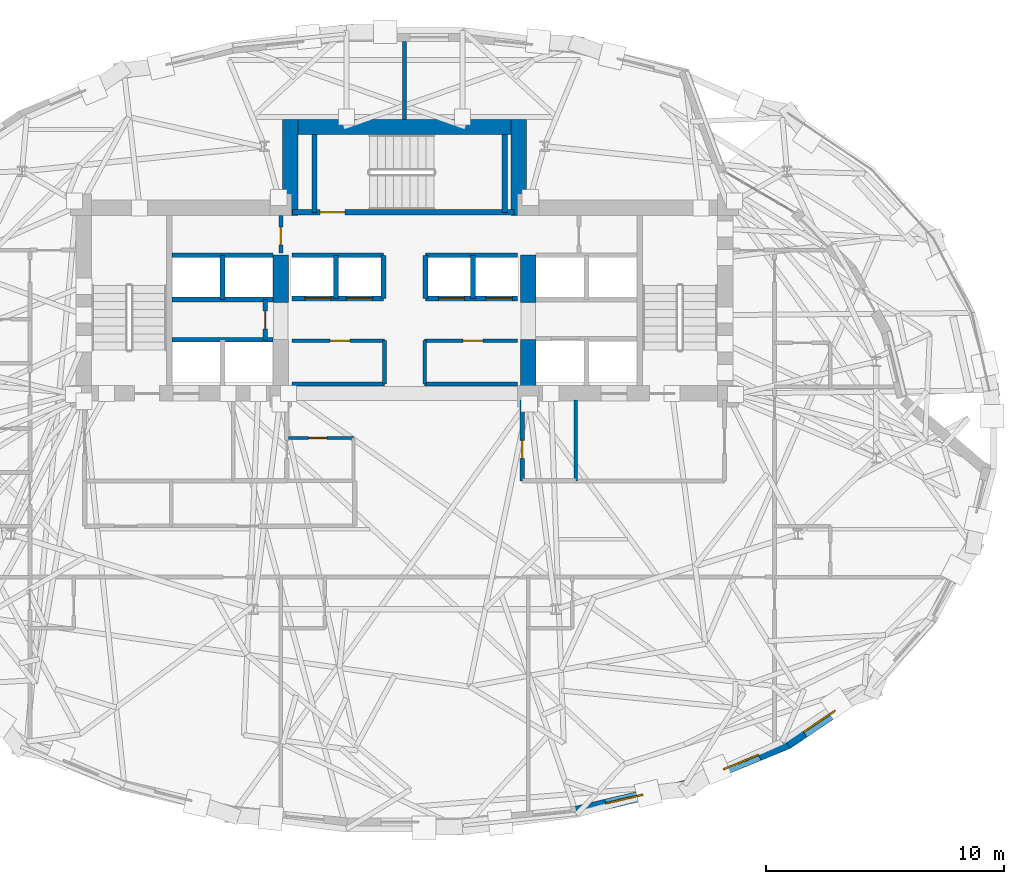
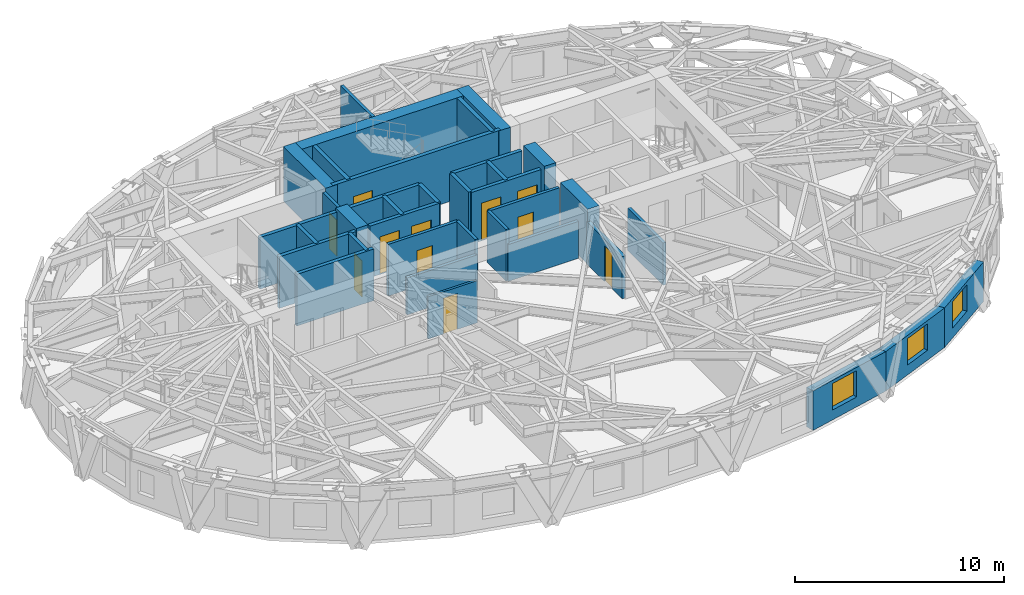
# One storey, part 9 of 15: 36 walls, 11 doors, 3 windows, 14 openings.
"""IFC4 building model written with IfcOpenShell, lengths in metres."""

import ifcopenshell
import ifcopenshell.guid

model = None  # the IFC model being written
_history = None  # IfcOwnerHistory: only IFC2X3 demands one
_inside = {}  # id of a spatial element -> (the spatial element, [elements in it])
_under = {}  # id of a project, library or spatial element -> (it, [spatial elements below it])
_declared = {}  # id of a project -> (the project, [libraries it declares])
_typed = {}  # id of a type object -> (the type object, [elements of that type])
_made_of = {}  # id of a material, layer set ... -> (it, [elements and type objects made of it])


def new_model(schema):
    """Start an empty IFC model of exactly this schema.

    Asked for "IFC4X3", IfcOpenShell would pick the latest addendum, in which some entities
    have other attributes; the version numbers below select the first issue.
    IFC2X3 requires an IfcOwnerHistory on every rooted entity: one is made here for all.
    """
    global model, _history
    if schema == "IFC4X3":
        model = ifcopenshell.file(schema_version=(4, 3, 0, 0))
    else:
        model = ifcopenshell.file(schema=schema)
    _inside.clear()
    _under.clear()
    _declared.clear()
    _typed.clear()
    _made_of.clear()
    _history = None
    if model.schema == "IFC2X3":
        org = make("IfcOrganization", Name="unknown")
        user = make(
            "IfcPersonAndOrganization",
            ThePerson=make("IfcPerson", FamilyName="unknown"),
            TheOrganization=org,
        )
        app = make(
            "IfcApplication",
            ApplicationDeveloper=org,
            Version="unknown",
            ApplicationFullName="unknown",
            ApplicationIdentifier="unknown",
        )
        _history = make(
            "IfcOwnerHistory",
            OwningUser=user,
            OwningApplication=app,
            ChangeAction="ADDED",
            CreationDate=0,
        )
    return model


def make(cls, **values):
    """One entity of the class cls with the attributes given. An attribute that is None is left unset."""
    return model.create_entity(
        cls, **{name: value for name, value in values.items() if value is not None}
    )


def rooted(cls, **values):
    """An entity with a GlobalId (a new one), such as an element, a storey or a relation."""
    return make(cls, GlobalId=ifcopenshell.guid.new(), OwnerHistory=_history, **values)


def si_unit(unit_type, name, prefix=None):
    """IfcSIUnit, for example si_unit("LENGTHUNIT", "METRE", prefix="MILLI")."""
    return make("IfcSIUnit", UnitType=unit_type, Prefix=prefix, Name=name)


def assignment(units):
    """IfcUnitAssignment: the units of a project."""
    return None if units is None else make("IfcUnitAssignment", Units=units)


def point(xyz):
    """IfcCartesianPoint."""
    return None if xyz is None else make("IfcCartesianPoint", Coordinates=xyz)


def direction(xyz):
    """IfcDirection."""
    return None if xyz is None else make("IfcDirection", DirectionRatios=xyz)


def frame(location, z_axis=None, x_axis=None):
    """IfcAxis2Placement3D, a coordinate frame: its origin and axes. An axis left out is left unset."""
    return make(
        "IfcAxis2Placement3D",
        Location=point(location),
        Axis=direction(z_axis),
        RefDirection=direction(x_axis),
    )


def frame_2d(location, x_axis=None):
    """IfcAxis2Placement2D, a coordinate frame in the plane: its origin and x axis."""
    return make(
        "IfcAxis2Placement2D", Location=point(location), RefDirection=direction(x_axis)
    )


def origin():
    """The frame at (0, 0, 0) with its axes left unset."""
    return frame((0.0, 0.0, 0.0))


def place(relative_to, where):
    """IfcLocalPlacement: puts the frame where relative to a parent placement (None: the world)."""
    return make(
        "IfcLocalPlacement", PlacementRelTo=relative_to, RelativePlacement=where
    )


def context(
    kind, dimensions, precision=None, world=None, true_north=None, identifier=None
):
    """IfcGeometricRepresentationContext, for example the 3D "Model" context."""
    return make(
        "IfcGeometricRepresentationContext",
        ContextIdentifier=identifier,
        ContextType=kind,
        CoordinateSpaceDimension=dimensions,
        Precision=precision,
        WorldCoordinateSystem=world,
        TrueNorth=true_north,
    )


def subcontext(parent, identifier, kind, view, scale=None):
    """IfcGeometricRepresentationSubContext, for example "Body" below "Model"."""
    return make(
        "IfcGeometricRepresentationSubContext",
        ContextIdentifier=identifier,
        ContextType=kind,
        ParentContext=parent,
        TargetScale=scale,
        TargetView=view,
    )


def project(units=None, contexts=None):
    """IfcProject with its units and contexts."""
    return rooted(
        "IfcProject",
        Name="project",
        RepresentationContexts=contexts,
        UnitsInContext=assignment(units),
    )


def spatial(cls, under=None, at=None, **own):
    """A site, building, storey or space (cls), placed at a placement, below another one or the project."""
    s = rooted(cls, ObjectPlacement=at, **own)
    if under is not None:
        _under.setdefault(under.id(), (under, []))[1].append(s)
    return s


def profile(cls, at=None, kind="AREA", **sizes):
    """A parametric profile (cls). Its sizes go by their IFC names, for example OverallWidth=200.0."""
    return make(cls, ProfileType=kind, Position=at, **sizes)


def rectangle(**sizes):
    """IfcRectangleProfileDef."""
    return profile("IfcRectangleProfileDef", **sizes)


def extrude(swept, where, along, depth):
    """IfcExtrudedAreaSolid: the profile swept, set in the frame where, extruded along a direction by depth."""
    return make(
        "IfcExtrudedAreaSolid",
        SweptArea=swept,
        Position=where,
        ExtrudedDirection=direction(along),
        Depth=depth,
    )


def shape(context_of_items, identifier, shape_type, items):
    """IfcShapeRepresentation: the items that make up one representation, for example the "Body"."""
    return make(
        "IfcShapeRepresentation",
        ContextOfItems=context_of_items,
        RepresentationIdentifier=identifier,
        RepresentationType=shape_type,
        Items=items,
    )


def material(Name=None, Category=None):
    """IfcMaterial."""
    return make("IfcMaterial", Name=Name, Category=Category)


def layer(
    of_material, thickness, ventilated=None, Name=None, Category=None, Priority=None
):
    """IfcMaterialLayer: one layer of a wall or slab, of a material (None: an air gap)."""
    return make(
        "IfcMaterialLayer",
        Material=of_material,
        LayerThickness=thickness,
        IsVentilated=ventilated,
        Name=Name,
        Category=Category,
        Priority=Priority,
    )


def layer_set(layers, Name=None):
    """IfcMaterialLayerSet."""
    return make("IfcMaterialLayerSet", MaterialLayers=layers, LayerSetName=Name)


def made_of(thing, what):
    """Note that an element or type object is made of a material, layer set ...; save() writes the relation."""
    if what is not None:
        _made_of.setdefault(what.id(), (what, []))[1].append(thing)
    return thing


def type_object(cls, material=None, **own):
    """A type object (cls), such as IfcWallType, which elements share."""
    return made_of(rooted(cls, **own), material)


def element(
    cls,
    number,
    at=None,
    inside=None,
    cuts=None,
    type_object=None,
    material=None,
    context=None,
    identifier="Body",
    shape_type=None,
    held_by="IfcProductDefinitionShape",
    body=None,
    shapes=None,
    **own,
):
    """One element of the class cls, such as IfcWall. Its Tag is "e" and its number.

    at: its placement. inside: the storey or other place that contains it. cuts: it is an
    opening in that element (IfcRelVoidsElement). A single representation is given by context,
    identifier, shape_type and body (its items); several are given by shapes. held_by: the class
    of the entity that holds the representations. save() writes the other relations.
    """
    e = rooted(cls, Tag="e%d" % number, ObjectPlacement=at, **own)
    if body is not None:
        shapes = [shape(context, identifier, shape_type, body)]
    if shapes is not None:
        e.Representation = make(held_by, Representations=shapes)
    if inside is not None:
        _inside.setdefault(inside.id(), (inside, []))[1].append(e)
    if cuts is not None:
        rooted(
            "IfcRelVoidsElement", RelatingBuildingElement=cuts, RelatedOpeningElement=e
        )
    if type_object is not None:
        _typed.setdefault(type_object.id(), (type_object, []))[1].append(e)
    return made_of(e, material)


def fill(opening, filler):
    """IfcRelFillsElement: the door or window that sits in an opening."""
    return rooted(
        "IfcRelFillsElement",
        RelatingOpeningElement=opening,
        RelatedBuildingElement=filler,
    )


def aggregate(whole, parts):
    """IfcRelAggregates: a whole, such as a stair, and the parts it consists of."""
    return rooted("IfcRelAggregates", RelatingObject=whole, RelatedObjects=parts)


def save(model, path):
    """Write the relations noted so far, then the file.

    IfcRelAggregates (storeys below a building ...), IfcRelContainedInSpatialStructure (elements
    in a storey), IfcRelDefinesByType, IfcRelAssociatesMaterial and IfcRelDeclares: one each for
    every whole, place, type object, material and project.
    """
    for whole, parts in _under.values():
        aggregate(whole, parts)
    for where, things in _inside.values():
        rooted(
            "IfcRelContainedInSpatialStructure",
            RelatedElements=things,
            RelatingStructure=where,
        )
    for kind, things in _typed.values():
        rooted("IfcRelDefinesByType", RelatedObjects=things, RelatingType=kind)
    for what, things in _made_of.values():
        rooted("IfcRelAssociatesMaterial", RelatedObjects=things, RelatingMaterial=what)
    for by, libraries in _declared.values():
        rooted("IfcRelDeclares", RelatingContext=by, RelatedDefinitions=libraries)
    model.write(path)


model = new_model("IFC4")

# Units and contexts
model_context = context("Model", 3, precision=1e-05, world=origin(), true_north=direction((0.0, 1.0)))
body_context = subcontext(model_context, "Body", "Model", "MODEL_VIEW")
ifc_project = project(units=[si_unit("LENGTHUNIT", "METRE"), si_unit("AREAUNIT", "SQUARE_METRE"), si_unit("VOLUMEUNIT", "CUBIC_METRE"), si_unit("PLANEANGLEUNIT", "RADIAN"), si_unit("MASSUNIT", "GRAM", prefix="KILO")], contexts=[model_context])

# Site, building, storey
site_placement = place(None, origin())
site = spatial("IfcSite", under=ifc_project, at=site_placement, CompositionType="ELEMENT")
building_placement = place(site_placement, origin())
building = spatial("IfcBuilding", under=site, at=building_placement, Name="Keldmark Tower", CompositionType="ELEMENT")
storey_placement = place(building_placement, frame((0.0, 0.0, 156.60009765625)))
storey = spatial("IfcBuildingStorey", under=building, at=storey_placement, Name="L42", CompositionType="ELEMENT", Elevation=156.60009765625)

# Wall, opening, door
ifc_material_1 = material(Name="Acoustic Gypsum Board Interior Partition", Category="gypsum")
ifc_layer_1 = layer(ifc_material_1, 0.1298828125)
ifc_layer_set_1 = layer_set([ifc_layer_1], Name="Acoustic Gypsum Board Interior Partition")
wall_type_1 = type_object("IfcWallType", Name="Interior Partition 130 mm", PredefinedType="PARTITIONING", material=ifc_layer_set_1)
wall_1_placement = place(storey_placement, frame((-4.8798828125, -0.35009765625, 0.0), z_axis=(0.0, 0.0, 1.0), x_axis=(1.0, 0.0, 0.0)))
wall_1 = element("IfcWall", 1, at=wall_1_placement, inside=storey, type_object=wall_type_1, Name="L42 Interior Partition 130 mm CSC-W-N", PredefinedType="PARTITIONING", context=body_context, shape_type="SweptSolid", body=[
    extrude(rectangle(XDim=2.72998046875, YDim=0.1298828125, at=frame_2d((1.364990234375, 0.0))), origin(), (0.0, 0.0, 1.0), 2.472900390625),
])
opening_1_placement = place(wall_1_placement, frame((0.85009765625, 0.0, 0.0)))
opening_1 = element("IfcOpeningElement", 2, at=opening_1_placement, cuts=wall_1, Name="Opening D-CL078", PredefinedType="OPENING", context=body_context, shape_type="SweptSolid", body=[
    extrude(rectangle(XDim=0.780029296875, YDim=2.10009765625, at=frame_2d((0.39013671875, 1.050048828125))), frame((0.0, 0.074951171875, 0.0), z_axis=(0.0, -1.0, 0.0), x_axis=(1.0, 0.0, 0.0)), (0.0, 0.0, 1.0), 0.14990234375),
])
ifc_material_2 = material(Name="Flush Utility Closet Timber Door", Category="wood")
door_type_1 = type_object("IfcDoorType", Name="Closet Door 780x2100", OperationType="NOTDEFINED", PredefinedType="DOOR", material=ifc_material_2)
door_1_placement = place(opening_1_placement, origin())
door_1 = element("IfcDoor", 3, at=door_1_placement, inside=storey, type_object=door_type_1, Name="L42 Closet Door 780x2100 D-CSCW1-L42", OperationType="SINGLE_SWING_RIGHT", OverallHeight=2.10009765625, OverallWidth=0.780029296875, PredefinedType="DOOR", context=body_context, shape_type="SweptSolid", body=[
    extrude(rectangle(XDim=0.780029296875, YDim=2.10009765625, at=frame_2d((0.39013671875, 1.050048828125))), frame((0.0, 0.02490234375, 0.0), z_axis=(0.0, -1.0, 0.0), x_axis=(1.0, 0.0, 0.0)), (0.0, 0.0, 1.0), 0.050048828125),
])
fill(opening_1, door_1)

# Walls
ifc_material_3 = material(Name="Type X Fire-Rated Gypsum Partition Assembly", Category="gypsum")
ifc_layer_2 = layer(ifc_material_3, 0.1650390625)
ifc_layer_set_2 = layer_set([ifc_layer_2], Name="Type X Fire-Rated Gypsum Partition Assembly")
wall_type_2 = type_object("IfcWallType", Name="Rated Partition 165 mm", PredefinedType="PARTITIONING", material=ifc_layer_set_2)
wall_2_placement = place(storey_placement, frame((7.199951171875, -2.14990234375, 0.0), z_axis=(0.0, 0.0, 1.0), x_axis=(0.0, 1.0, 0.0)))
element("IfcWall", 4, at=wall_2_placement, inside=storey, type_object=wall_type_2, Name="L42 Rated Partition 165 mm FSAE-E-W", PredefinedType="PARTITIONING", context=body_context, shape_type="SweptSolid", body=[
    extrude(rectangle(XDim=3.39990234375, YDim=0.1650390625, at=frame_2d((1.699951171875, 0.0))), origin(), (0.0, 0.0, 1.0), 2.472900390625),
])
wall_3_placement = place(storey_placement, frame((-4.739990234375, 1.919921875, 0.0), z_axis=(0.0, 0.0, 1.0), x_axis=(1.0, 0.0, 0.0)))
element("IfcWall", 5, at=wall_3_placement, inside=storey, type_object=wall_type_2, Name="L42 Rated Partition 165 mm REC-LW-S", PredefinedType="PARTITIONING", context=body_context, shape_type="SweptSolid", body=[
    extrude(rectangle(XDim=3.889892578125, YDim=0.1650390625, at=frame_2d((1.94482421875, 0.0))), origin(), (0.0, 0.0, 1.0), 2.159912109375),
])

# Wall, opening, door
wall_4_placement = place(storey_placement, frame((-4.739990234375, 3.739990234375, 0.0), z_axis=(0.0, 0.0, 1.0), x_axis=(1.0, 0.0, 0.0)))
wall_4 = element("IfcWall", 6, at=wall_4_placement, inside=storey, type_object=wall_type_2, Name="L42 Rated Partition 165 mm REC-LW-N", PredefinedType="PARTITIONING", context=body_context, shape_type="SweptSolid", body=[
    extrude(rectangle(XDim=3.889892578125, YDim=0.1650390625, at=frame_2d((1.94482421875, 0.0))), origin(), (0.0, 0.0, 1.0), 3.02001953125),
])
opening_2_placement = place(wall_4_placement, frame((1.60009765625, 0.0, 0.0)))
opening_2 = element("IfcOpeningElement", 7, at=opening_2_placement, cuts=wall_4, Name="Opening D-SV085", PredefinedType="OPENING", context=body_context, shape_type="SweptSolid", body=[
    extrude(rectangle(XDim=0.85009765625, YDim=2.10009765625, at=frame_2d((0.425048828125, 1.050048828125))), frame((0.0, 0.092529296875, 0.0), z_axis=(0.0, -1.0, 0.0), x_axis=(1.0, 0.0, 0.0)), (0.0, 0.0, 1.0), 0.18505859375),
])
ifc_material_4 = material(Name="Painted Hollow Metal Door Assembly", Category="metal")
door_type_2 = type_object("IfcDoorType", Name="Service Door 850x2100", OperationType="NOTDEFINED", PredefinedType="DOOR", material=ifc_material_4)
door_2_placement = place(opening_2_placement, origin())
door_2 = element("IfcDoor", 8, at=door_2_placement, inside=storey, type_object=door_type_2, Name="L42 Service Door 850x2100 D-RECLW1-L42", OperationType="SINGLE_SWING_LEFT", OverallHeight=2.10009765625, OverallWidth=0.85009765625, PredefinedType="DOOR", context=body_context, shape_type="SweptSolid", body=[
    extrude(rectangle(XDim=0.85009765625, YDim=2.10009765625, at=frame_2d((0.425048828125, 1.050048828125))), frame((0.0, 0.02490234375, 0.0), z_axis=(0.0, -1.0, 0.0), x_axis=(1.0, 0.0, 0.0)), (0.0, 0.0, 1.0), 0.050048828125),
])
fill(opening_2, door_2)

# Walls
wall_5_placement = place(storey_placement, frame((-0.85009765625, 1.919921875, 0.0), z_axis=(0.0, 0.0, 1.0), x_axis=(0.0, 1.0, 0.0)))
element("IfcWall", 9, at=wall_5_placement, inside=storey, type_object=wall_type_2, Name="L42 Rated Partition 165 mm REC-LW-E", PredefinedType="PARTITIONING", context=body_context, shape_type="SweptSolid", body=[
    extrude(rectangle(XDim=1.820068359375, YDim=0.1650390625, at=frame_2d((0.91015625, 0.0))), origin(), (0.0, 0.0, 1.0), 3.02001953125),
])
wall_6_placement = place(storey_placement, frame((0.85009765625, 1.919921875, 0.0), z_axis=(0.0, 0.0, 1.0), x_axis=(1.0, 0.0, 0.0)))
element("IfcWall", 10, at=wall_6_placement, inside=storey, type_object=wall_type_2, Name="L42 Rated Partition 165 mm REC-LE-S", PredefinedType="PARTITIONING", context=body_context, shape_type="SweptSolid", body=[
    extrude(rectangle(XDim=3.889892578125, YDim=0.1650390625, at=frame_2d((1.94482421875, 0.0))), origin(), (0.0, 0.0, 1.0), 2.159912109375),
])

# Wall, opening, door
wall_7_placement = place(storey_placement, frame((0.85009765625, 3.739990234375, 0.0), z_axis=(0.0, 0.0, 1.0), x_axis=(1.0, 0.0, 0.0)))
wall_7 = element("IfcWall", 11, at=wall_7_placement, inside=storey, type_object=wall_type_2, Name="L42 Rated Partition 165 mm REC-LE-N", PredefinedType="PARTITIONING", context=body_context, shape_type="SweptSolid", body=[
    extrude(rectangle(XDim=3.889892578125, YDim=0.1650390625, at=frame_2d((1.94482421875, 0.0))), origin(), (0.0, 0.0, 1.0), 3.02001953125),
])
opening_3_placement = place(wall_7_placement, frame((1.60009765625, 0.0, 0.0)))
opening_3 = element("IfcOpeningElement", 12, at=opening_3_placement, cuts=wall_7, Name="Opening D-SV085", PredefinedType="OPENING", context=body_context, shape_type="SweptSolid", body=[
    extrude(rectangle(XDim=0.85009765625, YDim=2.10009765625, at=frame_2d((0.425048828125, 1.050048828125))), frame((0.0, 0.092529296875, 0.0), z_axis=(0.0, -1.0, 0.0), x_axis=(1.0, 0.0, 0.0)), (0.0, 0.0, 1.0), 0.18505859375),
])
door_3_placement = place(opening_3_placement, origin())
door_3 = element("IfcDoor", 13, at=door_3_placement, inside=storey, type_object=door_type_2, Name="L42 Service Door 850x2100 D-RECLE1-L42", OperationType="SINGLE_SWING_RIGHT", OverallHeight=2.10009765625, OverallWidth=0.85009765625, PredefinedType="DOOR", context=body_context, shape_type="SweptSolid", body=[
    extrude(rectangle(XDim=0.85009765625, YDim=2.10009765625, at=frame_2d((0.425048828125, 1.050048828125))), frame((0.0, 0.02490234375, 0.0), z_axis=(0.0, -1.0, 0.0), x_axis=(1.0, 0.0, 0.0)), (0.0, 0.0, 1.0), 0.050048828125),
])
fill(opening_3, door_3)

# Wall
wall_8_placement = place(storey_placement, frame((0.85009765625, 1.919921875, 0.0), z_axis=(0.0, 0.0, 1.0), x_axis=(0.0, 1.0, 0.0)))
element("IfcWall", 14, at=wall_8_placement, inside=storey, type_object=wall_type_2, Name="L42 Rated Partition 165 mm REC-LE-W", PredefinedType="PARTITIONING", context=body_context, shape_type="SweptSolid", body=[
    extrude(rectangle(XDim=1.820068359375, YDim=0.1650390625, at=frame_2d((0.91015625, 0.0))), origin(), (0.0, 0.0, 1.0), 3.02001953125),
])

# Wall, opening, door
wall_9_placement = place(storey_placement, frame((-5.199951171875, 7.419921875, 0.0), z_axis=(0.0, 0.0, 1.0), x_axis=(0.0, 1.0, 0.0)))
wall_9 = element("IfcWall", 15, at=wall_9_placement, inside=storey, type_object=wall_type_2, Name="L42 Rated Partition 165 mm CS-NW-E", PredefinedType="PARTITIONING", context=body_context, shape_type="SweptSolid", body=[
    extrude(rectangle(XDim=1.580078125, YDim=0.1650390625, at=frame_2d((0.7900390625, 0.0))), origin(), (0.0, 0.0, 1.0), 3.02001953125),
])
opening_4_placement = place(wall_9_placement, frame((0.35009765625, 0.0, 0.0)))
opening_4 = element("IfcOpeningElement", 16, at=opening_4_placement, cuts=wall_9, Name="Opening D-RS075", PredefinedType="OPENING", context=body_context, shape_type="SweptSolid", body=[
    extrude(rectangle(XDim=0.75, YDim=2.10009765625, at=frame_2d((0.375, 1.050048828125))), frame((0.0, 0.092529296875, 0.0), z_axis=(0.0, -1.0, 0.0), x_axis=(1.0, 0.0, 0.0)), (0.0, 0.0, 1.0), 0.18505859375),
])
ifc_material_5 = material(Name="Galvanized Fire-Rated Access Leaf", Category="metal")
door_type_3 = type_object("IfcDoorType", Name="Riser Access Door 750x2100", OperationType="NOTDEFINED", PredefinedType="DOOR", material=ifc_material_5)
door_4_placement = place(opening_4_placement, origin())
door_4 = element("IfcDoor", 17, at=door_4_placement, inside=storey, type_object=door_type_3, Name="L42 Riser Access Door 750x2100 D-CSNW1-L42", OperationType="SINGLE_SWING_LEFT", OverallHeight=2.10009765625, OverallWidth=0.75, PredefinedType="DOOR", context=body_context, shape_type="SweptSolid", body=[
    extrude(rectangle(XDim=0.75, YDim=2.10009765625, at=frame_2d((0.375, 1.050048828125))), frame((0.0, 0.02490234375, 0.0), z_axis=(0.0, -1.0, 0.0), x_axis=(1.0, 0.0, 0.0)), (0.0, 0.0, 1.0), 0.050048828125),
])
fill(opening_4, door_4)

# Wall
wall_10_placement = place(storey_placement, frame((0.0, 13.050048828125, 0.0), z_axis=(0.0, 0.0, 1.0), x_axis=(0.0, 1.0, 0.0)))
element("IfcWall", 18, at=wall_10_placement, inside=storey, type_object=wall_type_2, Name="L42 Rated Partition 165 mm HN-DIV", PredefinedType="PARTITIONING", context=body_context, shape_type="SweptSolid", body=[
    extrude(rectangle(XDim=3.25927734375, YDim=0.1650390625, at=frame_2d((1.629638671875, 0.0))), origin(), (0.0, 0.0, 1.0), 3.02001953125),
])

# Wall, opening, door
ifc_material_6 = material(Name="Fire-Resistant Type X Gypsum Shaftliner Coreboard", Category="gypsum")
ifc_layer_3 = layer(ifc_material_6, 0.199951171875)
ifc_layer_set_3 = layer_set([ifc_layer_3], Name="Fire-Resistant Type X Gypsum Shaftliner Coreboard")
wall_type_3 = type_object("IfcWallType", Name="Shaft Wall 200 mm", PredefinedType="SOLIDWALL", material=ifc_layer_set_3)
wall_11_placement = place(storey_placement, frame((4.949951171875, -2.14990234375, 0.0), z_axis=(0.0, 0.0, 1.0), x_axis=(0.0, 1.0, 0.0)))
wall_11 = element("IfcWall", 19, at=wall_11_placement, inside=storey, type_object=wall_type_3, Name="L42 Shaft Wall 200 mm RIS-SE-W", PredefinedType="SOLIDWALL", context=body_context, shape_type="SweptSolid", body=[
    extrude(rectangle(XDim=3.39990234375, YDim=0.199951171875, at=frame_2d((1.699951171875, 0.0))), origin(), (0.0, 0.0, 1.0), 2.472900390625),
])
opening_5_placement = place(wall_11_placement, frame((0.949951171875, 0.0, 0.0)))
opening_5 = element("IfcOpeningElement", 20, at=opening_5_placement, cuts=wall_11, Name="Opening D-RS075", PredefinedType="OPENING", context=body_context, shape_type="SweptSolid", body=[
    extrude(rectangle(XDim=0.75, YDim=2.10009765625, at=frame_2d((0.375, 1.050048828125))), frame((0.0, 0.10986328125, 0.0), z_axis=(0.0, -1.0, 0.0), x_axis=(1.0, 0.0, 0.0)), (0.0, 0.0, 1.0), 0.219970703125),
])
door_5_placement = place(opening_5_placement, origin())
door_5 = element("IfcDoor", 21, at=door_5_placement, inside=storey, type_object=door_type_3, Name="L42 Riser Access Door 750x2100 D-RISSE-L42", OperationType="SINGLE_SWING_LEFT", OverallHeight=2.10009765625, OverallWidth=0.75, PredefinedType="DOOR", context=body_context, shape_type="SweptSolid", body=[
    extrude(rectangle(XDim=0.75, YDim=2.10009765625, at=frame_2d((0.375, 1.050048828125))), frame((0.0, 0.02490234375, 0.0), z_axis=(0.0, -1.0, 0.0), x_axis=(1.0, 0.0, 0.0)), (0.0, 0.0, 1.0), 0.050048828125),
])
fill(opening_5, door_5)

# Walls
for number, where, z_axis, x_axis, name in (
    (22, (-9.780029296875, 3.780029296875, 0.0), (0.0, 0.0, 1.0), (1.0, 0.0, 0.0), "L42 Shaft Wall 200 mm HW-W-S"),
    (23, (-9.780029296875, 5.469970703125, 0.0), (0.0, 0.0, 1.0), (1.0, 0.0, 0.0), "L42 Shaft Wall 200 mm HW-W-N"),
    (24, (-9.780029296875, 7.330078125, 0.0), (0.0, 0.0, 1.0), (1.0, 0.0, 0.0), "L42 Shaft Wall 200 mm HW-W-TOP"),
):
    element("IfcWall", number, at=place(storey_placement, frame(where, z_axis=z_axis, x_axis=x_axis)), inside=storey, type_object=wall_type_3, Name=name, PredefinedType="SOLIDWALL", context=body_context, shape_type="SweptSolid", body=[
        extrude(rectangle(XDim=4.255126953125, YDim=0.199951171875, at=frame_2d((2.12744140625, 0.0))), origin(), (0.0, 0.0, 1.0), 3.02001953125),
    ])
wall_12_placement = place(storey_placement, frame((-7.64990234375, 5.469970703125, 0.0), z_axis=(0.0, 0.0, 1.0), x_axis=(0.0, 1.0, 0.0)))
element("IfcWall", 25, at=wall_12_placement, inside=storey, type_object=wall_type_3, Name="L42 Shaft Wall 200 mm HW-W-NM", PredefinedType="SOLIDWALL", context=body_context, shape_type="SweptSolid", body=[
    extrude(rectangle(XDim=1.860107421875, YDim=0.199951171875, at=frame_2d((0.93017578125, 0.0))), origin(), (0.0, 0.0, 1.0), 3.02001953125),
])

# Wall, opening, door
wall_13_placement = place(storey_placement, frame((-5.85009765625, 3.780029296875, 0.0), z_axis=(0.0, 0.0, 1.0), x_axis=(0.0, 1.0, 0.0)))
wall_13 = element("IfcWall", 26, at=wall_13_placement, inside=storey, type_object=wall_type_3, Name="L42 Shaft Wall 200 mm HW-W-CLOSE", PredefinedType="SOLIDWALL", context=body_context, shape_type="SweptSolid", body=[
    extrude(rectangle(XDim=1.68994140625, YDim=0.199951171875, at=frame_2d((0.844970703125, 0.0))), origin(), (0.0, 0.0, 1.0), 3.02001953125),
])
opening_6_placement = place(wall_13_placement, frame((0.449951171875, 0.0, 0.0)))
opening_6 = element("IfcOpeningElement", 27, at=opening_6_placement, cuts=wall_13, Name="Opening D-RS075", PredefinedType="OPENING", context=body_context, shape_type="SweptSolid", body=[
    extrude(rectangle(XDim=0.75, YDim=2.10009765625, at=frame_2d((0.375, 1.050048828125))), frame((0.0, 0.10986328125, 0.0), z_axis=(0.0, -1.0, 0.0), x_axis=(1.0, 0.0, 0.0)), (0.0, 0.0, 1.0), 0.219970703125),
])
door_6_placement = place(opening_6_placement, origin())
door_6 = element("IfcDoor", 28, at=door_6_placement, inside=storey, type_object=door_type_3, Name="L42 Riser Access Door 750x2100 D-RISHW-L42", OperationType="SINGLE_SWING_RIGHT", OverallHeight=2.10009765625, OverallWidth=0.75, PredefinedType="DOOR", context=body_context, shape_type="SweptSolid", body=[
    extrude(rectangle(XDim=0.75, YDim=2.10009765625, at=frame_2d((0.375, 1.050048828125))), frame((0.0, 0.02490234375, 0.0), z_axis=(0.0, -1.0, 0.0), x_axis=(1.0, 0.0, 0.0)), (0.0, 0.0, 1.0), 0.050048828125),
])
fill(opening_6, door_6)

# Wall, openings, doors
wall_14_placement = place(storey_placement, frame((-4.739990234375, 5.52001953125, 0.0), z_axis=(0.0, 0.0, 1.0), x_axis=(1.0, 0.0, 0.0)))
wall_14 = element("IfcWall", 29, at=wall_14_placement, inside=storey, type_object=wall_type_3, Name="L42 Shaft Wall 200 mm MID-S-W", PredefinedType="SOLIDWALL", context=body_context, shape_type="SweptSolid", body=[
    extrude(rectangle(XDim=3.860107421875, YDim=0.199951171875, at=frame_2d((1.93017578125, 0.0))), origin(), (0.0, 0.0, 1.0), 3.02001953125),
])
opening_7_placement = place(wall_14_placement, frame((0.550048828125, 0.0, 0.0)))
opening_7 = element("IfcOpeningElement", 30, at=opening_7_placement, cuts=wall_14, Name="Opening LD-110", PredefinedType="OPENING", context=body_context, shape_type="SweptSolid", body=[
    extrude(rectangle(XDim=1.10009765625, YDim=2.199951171875, at=frame_2d((0.550048828125, 1.10009765625))), frame((0.0, 0.10986328125, 0.0), z_axis=(0.0, -1.0, 0.0), x_axis=(1.0, 0.0, 0.0)), (0.0, 0.0, 1.0), 0.219970703125),
])
opening_8_placement = place(wall_14_placement, frame((2.300048828125, 0.0, 0.0)))
opening_8 = element("IfcOpeningElement", 31, at=opening_8_placement, cuts=wall_14, Name="Opening LD-110", PredefinedType="OPENING", context=body_context, shape_type="SweptSolid", body=[
    extrude(rectangle(XDim=1.10009765625, YDim=2.199951171875, at=frame_2d((0.550048828125, 1.10009765625))), frame((0.0, 0.10986328125, 0.0), z_axis=(0.0, -1.0, 0.0), x_axis=(1.0, 0.0, 0.0)), (0.0, 0.0, 1.0), 0.219970703125),
])
ifc_material_7 = material(Name="Brushed Bronze Hoistway Sliding Leaf", Category="metal")
door_type_4 = type_object("IfcDoorType", Name="Lift Landing Sliding Door 1100x2200", OperationType="SLIDING_TO_LEFT", PredefinedType="DOOR", material=ifc_material_7)
door_7_placement = place(opening_7_placement, origin())
door_7 = element("IfcDoor", 32, at=door_7_placement, inside=storey, type_object=door_type_4, Name="L42 Lift Landing Sliding Door 1100x2200 LD-EL-M1-L42", OperationType="SLIDING_TO_LEFT", OverallHeight=2.199951171875, OverallWidth=1.10009765625, PredefinedType="DOOR", context=body_context, shape_type="SweptSolid", body=[
    extrude(rectangle(XDim=1.10009765625, YDim=2.199951171875, at=frame_2d((0.550048828125, 1.10009765625))), frame((0.0, 0.02490234375, 0.0), z_axis=(0.0, -1.0, 0.0), x_axis=(1.0, 0.0, 0.0)), (0.0, 0.0, 1.0), 0.050048828125),
])
fill(opening_7, door_7)
door_8_placement = place(opening_8_placement, origin())
door_8 = element("IfcDoor", 33, at=door_8_placement, inside=storey, type_object=door_type_4, Name="L42 Lift Landing Sliding Door 1100x2200 LD-EL-M2-L42", OperationType="SLIDING_TO_LEFT", OverallHeight=2.199951171875, OverallWidth=1.10009765625, PredefinedType="DOOR", context=body_context, shape_type="SweptSolid", body=[
    extrude(rectangle(XDim=1.10009765625, YDim=2.199951171875, at=frame_2d((0.550048828125, 1.10009765625))), frame((0.0, 0.02490234375, 0.0), z_axis=(0.0, -1.0, 0.0), x_axis=(1.0, 0.0, 0.0)), (0.0, 0.0, 1.0), 0.050048828125),
])
fill(opening_8, door_8)

wall_15_placement = place(storey_placement, frame((0.8798828125, 5.52001953125, 0.0), z_axis=(0.0, 0.0, 1.0), x_axis=(1.0, 0.0, 0.0)))
wall_15 = element("IfcWall", 34, at=wall_15_placement, inside=storey, type_object=wall_type_3, Name="L42 Shaft Wall 200 mm MID-S-E", PredefinedType="SOLIDWALL", context=body_context, shape_type="SweptSolid", body=[
    extrude(rectangle(XDim=3.860107421875, YDim=0.199951171875, at=frame_2d((1.93017578125, 0.0))), origin(), (0.0, 0.0, 1.0), 3.02001953125),
])
opening_9_placement = place(wall_15_placement, frame((0.550048828125, 0.0, 0.0)))
opening_9 = element("IfcOpeningElement", 35, at=opening_9_placement, cuts=wall_15, Name="Opening LD-110", PredefinedType="OPENING", context=body_context, shape_type="SweptSolid", body=[
    extrude(rectangle(XDim=1.10009765625, YDim=2.199951171875, at=frame_2d((0.550048828125, 1.10009765625))), frame((0.0, 0.10986328125, 0.0), z_axis=(0.0, -1.0, 0.0), x_axis=(1.0, 0.0, 0.0)), (0.0, 0.0, 1.0), 0.219970703125),
])
opening_10_placement = place(wall_15_placement, frame((2.550048828125, 0.0, 0.0)))
opening_10 = element("IfcOpeningElement", 36, at=opening_10_placement, cuts=wall_15, Name="Opening LD-110", PredefinedType="OPENING", context=body_context, shape_type="SweptSolid", body=[
    extrude(rectangle(XDim=1.10009765625, YDim=2.199951171875, at=frame_2d((0.550048828125, 1.10009765625))), frame((0.0, 0.10986328125, 0.0), z_axis=(0.0, -1.0, 0.0), x_axis=(1.0, 0.0, 0.0)), (0.0, 0.0, 1.0), 0.219970703125),
])
door_9_placement = place(opening_9_placement, origin())
door_9 = element("IfcDoor", 37, at=door_9_placement, inside=storey, type_object=door_type_4, Name="L42 Lift Landing Sliding Door 1100x2200 LD-EL-M3-L42", OperationType="SLIDING_TO_LEFT", OverallHeight=2.199951171875, OverallWidth=1.10009765625, PredefinedType="DOOR", context=body_context, shape_type="SweptSolid", body=[
    extrude(rectangle(XDim=1.10009765625, YDim=2.199951171875, at=frame_2d((0.550048828125, 1.10009765625))), frame((0.0, 0.02490234375, 0.0), z_axis=(0.0, -1.0, 0.0), x_axis=(1.0, 0.0, 0.0)), (0.0, 0.0, 1.0), 0.050048828125),
])
fill(opening_9, door_9)
door_10_placement = place(opening_10_placement, origin())
door_10 = element("IfcDoor", 38, at=door_10_placement, inside=storey, type_object=door_type_4, Name="L42 Lift Landing Sliding Door 1100x2200 LD-EL-M4-L42", OperationType="SLIDING_TO_LEFT", OverallHeight=2.199951171875, OverallWidth=1.10009765625, PredefinedType="DOOR", context=body_context, shape_type="SweptSolid", body=[
    extrude(rectangle(XDim=1.10009765625, YDim=2.199951171875, at=frame_2d((0.550048828125, 1.10009765625))), frame((0.0, 0.02490234375, 0.0), z_axis=(0.0, -1.0, 0.0), x_axis=(1.0, 0.0, 0.0)), (0.0, 0.0, 1.0), 0.050048828125),
])
fill(opening_10, door_10)

# Walls
for number, where, z_axis, x_axis, name in (
    (39, (-4.739990234375, 7.330078125, 0.0), (0.0, 0.0, 1.0), (1.0, 0.0, 0.0), "L42 Shaft Wall 200 mm MID-N-W"),
    (40, (0.8798828125, 7.330078125, 0.0), (0.0, 0.0, 1.0), (1.0, 0.0, 0.0), "L42 Shaft Wall 200 mm MID-N-E"),
):
    element("IfcWall", number, at=place(storey_placement, frame(where, z_axis=z_axis, x_axis=x_axis)), inside=storey, type_object=wall_type_3, Name=name, PredefinedType="SOLIDWALL", context=body_context, shape_type="SweptSolid", body=[
        extrude(rectangle(XDim=3.860107421875, YDim=0.199951171875, at=frame_2d((1.93017578125, 0.0))), origin(), (0.0, 0.0, 1.0), 3.02001953125),
    ])
for number, where, z_axis, x_axis, name in (
    (41, (-2.8798828125, 5.52001953125, 0.0), (0.0, 0.0, 1.0), (0.0, 1.0, 0.0), "L42 Shaft Wall 200 mm MID-M-W"),
    (42, (2.8798828125, 5.52001953125, 0.0), (0.0, 0.0, 1.0), (0.0, 1.0, 0.0), "L42 Shaft Wall 200 mm MID-M-E"),
    (43, (-0.8798828125, 5.52001953125, 0.0), (0.0, 0.0, 1.0), (0.0, 1.0, 0.0), "L42 Shaft Wall 200 mm MID-C-W"),
    (44, (0.8798828125, 5.52001953125, 0.0), (0.0, 0.0, 1.0), (0.0, 1.0, 0.0), "L42 Shaft Wall 200 mm MID-C-E"),
):
    element("IfcWall", number, at=place(storey_placement, frame(where, z_axis=z_axis, x_axis=x_axis)), inside=storey, type_object=wall_type_3, Name=name, PredefinedType="SOLIDWALL", context=body_context, shape_type="SweptSolid", body=[
        extrude(rectangle(XDim=1.81005859375, YDim=0.199951171875, at=frame_2d((0.905029296875, 0.0))), origin(), (0.0, 0.0, 1.0), 3.02001953125),
    ])

# Wall, opening, door
ifc_material_8 = material(Name="Concrete C50/60", Category="concrete")
ifc_layer_4 = layer(ifc_material_8, 0.219970703125)
ifc_layer_set_4 = layer_set([ifc_layer_4], Name="Concrete C50/60")
wall_type_4 = type_object("IfcWallType", Name="Stair Core Shear Wall 220 mm", PredefinedType="SHEAR", material=ifc_layer_set_4)
wall_16_placement = place(storey_placement, frame((-4.699951171875, 9.139892578125, 0.0), z_axis=(0.0, 0.0, 1.0), x_axis=(1.0, 0.0, 0.0)))
wall_16 = element("IfcWall", 45, at=wall_16_placement, inside=storey, type_object=wall_type_4, Name="L42 Central Stair Core South Shear Wall", PredefinedType="SHEAR", context=body_context, shape_type="SweptSolid", body=[
    extrude(rectangle(XDim=9.300048828125, YDim=0.219970703125, at=frame_2d((4.64990234375, 0.0))), origin(), (0.0, 0.0, 1.0), 3.199951171875),
])
opening_11_placement = place(wall_16_placement, frame((1.14990234375, 0.0, 0.0)))
opening_11 = element("IfcOpeningElement", 46, at=opening_11_placement, cuts=wall_16, Name="Opening D-ST105", PredefinedType="OPENING", context=body_context, shape_type="SweptSolid", body=[
    extrude(rectangle(XDim=1.050048828125, YDim=2.14990234375, at=frame_2d((0.52490234375, 1.074951171875))), frame((0.0, 0.119873046875, 0.0), z_axis=(0.0, -1.0, 0.0), x_axis=(1.0, 0.0, 0.0)), (0.0, 0.0, 1.0), 0.239990234375),
])
ifc_material_9 = material(Name="Hollow Metal Fire-Rated Door Assembly", Category="metal")
door_type_5 = type_object("IfcDoorType", Name="Stair Fire Door 1050x2150", OperationType="NOTDEFINED", PredefinedType="DOOR", material=ifc_material_9)
door_11_placement = place(opening_11_placement, origin())
door_11 = element("IfcDoor", 47, at=door_11_placement, inside=storey, type_object=door_type_5, Name="L42 Stair Fire Door 1050x2150 D-ST3-L42", OperationType="SINGLE_SWING_RIGHT", OverallHeight=2.14990234375, OverallWidth=1.050048828125, PredefinedType="DOOR", context=body_context, shape_type="SweptSolid", body=[
    extrude(rectangle(XDim=1.050048828125, YDim=2.14990234375, at=frame_2d((0.52490234375, 1.074951171875))), frame((0.0, 0.02490234375, 0.0), z_axis=(0.0, -1.0, 0.0), x_axis=(1.0, 0.0, 0.0)), (0.0, 0.0, 1.0), 0.050048828125),
])
fill(opening_11, door_11)

# Walls
for number, where, z_axis, x_axis, name in (
    (48, (-3.784912109375, 9.139892578125, 0.0), (0.0, 0.0, 1.0), (0.0, 1.0, 0.0), "L42 Central Stair Core West Shear Wall"),
    (49, (4.215087890625, 9.139892578125, 0.0), (0.0, 0.0, 1.0), (0.0, 1.0, 0.0), "L42 Central Stair Core East Shear Wall"),
):
    element("IfcWall", number, at=place(storey_placement, frame(where, z_axis=z_axis, x_axis=x_axis)), inside=storey, type_object=wall_type_4, Name=name, PredefinedType="SHEAR", context=body_context, shape_type="SweptSolid", body=[
        extrude(rectangle(XDim=3.260009765625, YDim=0.219970703125, at=frame_2d((1.6298828125, 0.0))), origin(), (0.0, 0.0, 1.0), 3.199951171875),
    ])

# Wall, opening, window
ifc_material_10 = material(Name="Ironspot Manganese Brick and Kasota Buff Limestone Spandrel Assembly", Category="masonry")
ifc_layer_5 = layer(ifc_material_10, 0.43994140625)
ifc_layer_set_5 = layer_set([ifc_layer_5], Name="Ironspot Manganese Brick and Kasota Buff Limestone Spandrel Assembly")
wall_type_5 = type_object("IfcWallType", Name="Tower Brick Pier and Spandrel Wall 440 mm", PredefinedType="STANDARD", material=ifc_layer_set_5)
wall_17_placement = place(storey_placement, frame((11.8984375, -14.939453125, 0.0), z_axis=(0.0, 0.0, 1.0), x_axis=(-0.973201371538, -0.229954539936, 0.0)))
wall_17 = element("IfcWall", 50, at=wall_17_placement, inside=storey, type_object=wall_type_5, Name="L42 Exterior Brick and Spandrel Wall 26", PredefinedType="STANDARD", context=body_context, shape_type="SweptSolid", body=[
    extrude(rectangle(XDim=4.802001953125, YDim=0.43994140625, at=frame_2d((2.40087890625, 0.0))), origin(), (0.0, 0.0, 1.0), 2.31494140625),
])
opening_12_placement = place(wall_17_placement, frame((1.920654296875, 0.0, 0.580078125)))
opening_12 = element("IfcOpeningElement", 51, at=opening_12_placement, cuts=wall_17, Name="Opening W-04", PredefinedType="OPENING", context=body_context, shape_type="SweptSolid", body=[
    extrude(rectangle(XDim=1.60009765625, YDim=1.550048828125, at=frame_2d((0.800048828125, 0.77490234375))), frame((0.0, 0.22998046875, 0.0), z_axis=(0.0, -1.0, 0.0), x_axis=(1.0, 0.0, 0.0)), (0.0, 0.0, 1.0), 0.4599609375),
])
ifc_material_11 = material(Name="Thermally Broken Anodized Aluminum and Triple Low-E Argon Glazing", Category="aluminium")
window_type = type_object("IfcWindowType", Name="Hotel Deep-Set Operable Window 1600x1550", PartitioningType="DOUBLE_PANEL_HORIZONTAL", PredefinedType="WINDOW", material=ifc_material_11)
window_1_placement = place(opening_12_placement, origin())
window_1 = element("IfcWindow", 52, at=window_1_placement, inside=storey, type_object=window_type, Name="L42 Deep-Set Window 26", OverallHeight=1.550048828125, OverallWidth=1.60009765625, PartitioningType="SINGLE_PANEL", PredefinedType="WINDOW", context=body_context, shape_type="SweptSolid", body=[
    extrude(rectangle(XDim=1.60009765625, YDim=1.550048828125, at=frame_2d((0.800048828125, 0.77490234375))), frame((0.0, -0.010009765625, 0.0), z_axis=(0.0, -1.0, 0.0), x_axis=(1.0, 0.0, 0.0)), (0.0, 0.0, 1.0), 0.06005859375),
])
fill(opening_12, window_1)

wall_18_placement = place(storey_placement, frame((16.138427734375, -13.1953125, 0.0), z_axis=(0.0, 0.0, 1.0), x_axis=(-0.925044361302, -0.3798590918, 0.0)))
wall_18 = element("IfcWall", 53, at=wall_18_placement, inside=storey, type_object=wall_type_5, Name="L42 Exterior Brick and Spandrel Wall 27", PredefinedType="STANDARD", context=body_context, shape_type="SweptSolid", body=[
    extrude(rectangle(XDim=4.619140625, YDim=0.43994140625, at=frame_2d((2.3095703125, 0.0))), origin(), (0.0, 0.0, 1.0), 2.31494140625),
])
opening_13_placement = place(wall_18_placement, frame((1.336669921875, 0.0, 0.580078125)))
opening_13 = element("IfcOpeningElement", 54, at=opening_13_placement, cuts=wall_18, Name="Opening W-04", PredefinedType="OPENING", context=body_context, shape_type="SweptSolid", body=[
    extrude(rectangle(XDim=1.60009765625, YDim=1.550048828125, at=frame_2d((0.800048828125, 0.77490234375))), frame((0.0, 0.22998046875, 0.0), z_axis=(0.0, -1.0, 0.0), x_axis=(1.0, 0.0, 0.0)), (0.0, 0.0, 1.0), 0.4599609375),
])
window_2_placement = place(opening_13_placement, origin())
window_2 = element("IfcWindow", 55, at=window_2_placement, inside=storey, type_object=window_type, Name="L42 Deep-Set Window 27", OverallHeight=1.550048828125, OverallWidth=1.60009765625, PartitioningType="SINGLE_PANEL", PredefinedType="WINDOW", context=body_context, shape_type="SweptSolid", body=[
    extrude(rectangle(XDim=1.60009765625, YDim=1.550048828125, at=frame_2d((0.800048828125, 0.77490234375))), frame((0.0, -0.010009765625, 0.0), z_axis=(0.0, -1.0, 0.0), x_axis=(1.0, 0.0, 0.0)), (0.0, 0.0, 1.0), 0.06005859375),
])
fill(opening_13, window_2)

wall_19_placement = place(storey_placement, frame((19.643310546875, -10.814208984375, 0.0), z_axis=(0.0, 0.0, 1.0), x_axis=(-0.827771778383, -0.561064954272, 0.0)))
wall_19 = element("IfcWall", 56, at=wall_19_placement, inside=storey, type_object=wall_type_5, Name="L42 Exterior Brick and Spandrel Wall 28", PredefinedType="STANDARD", context=body_context, shape_type="SweptSolid", body=[
    extrude(rectangle(XDim=4.2822265625, YDim=0.43994140625, at=frame_2d((2.14111328125, 0.0))), origin(), (0.0, 0.0, 1.0), 2.31494140625),
])
opening_14_placement = place(wall_19_placement, frame((1.837158203125, 0.0, 0.580078125)))
opening_14 = element("IfcOpeningElement", 57, at=opening_14_placement, cuts=wall_19, Name="Opening W-04", PredefinedType="OPENING", context=body_context, shape_type="SweptSolid", body=[
    extrude(rectangle(XDim=1.60009765625, YDim=1.550048828125, at=frame_2d((0.800048828125, 0.77490234375))), frame((0.0, 0.22998046875, 0.0), z_axis=(0.0, -1.0, 0.0), x_axis=(1.0, 0.0, 0.0)), (0.0, 0.0, 1.0), 0.4599609375),
])
window_3_placement = place(opening_14_placement, origin())
window_3 = element("IfcWindow", 58, at=window_3_placement, inside=storey, type_object=window_type, Name="L42 Deep-Set Window 28", OverallHeight=1.550048828125, OverallWidth=1.60009765625, PartitioningType="SINGLE_PANEL", PredefinedType="WINDOW", context=body_context, shape_type="SweptSolid", body=[
    extrude(rectangle(XDim=1.60009765625, YDim=1.550048828125, at=frame_2d((0.800048828125, 0.77490234375))), frame((0.0, -0.010009765625, 0.0), z_axis=(0.0, -1.0, 0.0), x_axis=(1.0, 0.0, 0.0)), (0.0, 0.0, 1.0), 0.06005859375),
])
fill(opening_14, window_3)

# Walls
ifc_material_12 = material(Name="Concrete C50/60", Category="concrete")
ifc_layer_6 = layer(ifc_material_12, 0.64990234375)
ifc_layer_set_6 = layer_set([ifc_layer_6], Name="Concrete C50/60")
wall_type_6 = type_object("IfcWallType", Name="Upper-Mid Core Shear Wall 650 mm", PredefinedType="SHEAR", material=ifc_layer_set_6)
wall_20_placement = place(storey_placement, frame((-5.199951171875, 5.35009765625, 0.0), z_axis=(0.0, 0.0, 1.0), x_axis=(0.0, 1.0, 0.0)))
element("IfcWall", 59, at=wall_20_placement, inside=storey, type_object=wall_type_6, Name="L42 West Core Inner Shear Pier North", PredefinedType="SHEAR", context=body_context, shape_type="SweptSolid", body=[
    extrude(rectangle(XDim=2.0, YDim=0.64990234375, at=frame_2d((1.0, 0.0))), origin(), (0.0, 0.0, 1.0), 3.199951171875),
])
wall_21_placement = place(storey_placement, frame((5.199951171875, 1.199951171875, 0.0), z_axis=(0.0, 0.0, 1.0), x_axis=(0.0, 1.0, 0.0)))
element("IfcWall", 60, at=wall_21_placement, inside=storey, type_object=wall_type_6, Name="L42 East Core Inner Shear Pier South", PredefinedType="SHEAR", context=body_context, shape_type="SweptSolid", body=[
    extrude(rectangle(XDim=2.60009765625, YDim=0.64990234375, at=frame_2d((1.300048828125, 0.0))), origin(), (0.0, 0.0, 1.0), 3.199951171875),
])
wall_22_placement = place(storey_placement, frame((5.199951171875, 5.35009765625, 0.0), z_axis=(0.0, 0.0, 1.0), x_axis=(0.0, 1.0, 0.0)))
element("IfcWall", 61, at=wall_22_placement, inside=storey, type_object=wall_type_6, Name="L42 East Core Inner Shear Pier North", PredefinedType="SHEAR", context=body_context, shape_type="SweptSolid", body=[
    extrude(rectangle(XDim=2.0, YDim=0.64990234375, at=frame_2d((1.0, 0.0))), origin(), (0.0, 0.0, 1.0), 3.199951171875),
])
wall_23_placement = place(storey_placement, frame((-5.125, 12.72509765625, 0.0), z_axis=(0.0, 0.0, 1.0), x_axis=(1.0, 0.0, 0.0)))
element("IfcWall", 62, at=wall_23_placement, inside=storey, type_object=wall_type_6, Name="L42 North Core Shear Wall", PredefinedType="SHEAR", context=body_context, shape_type="SweptSolid", body=[
    extrude(rectangle(XDim=10.25, YDim=0.64990234375, at=frame_2d((5.125, 0.0))), origin(), (0.0, 0.0, 1.0), 3.199951171875),
])
for number, where, z_axis, x_axis, name in (
    (63, (-4.800048828125, 9.0, 0.0), (0.0, 0.0, 1.0), (0.0, 1.0, 0.0), "L42 North Core West Shear Wall"),
    (64, (4.800048828125, 9.0, 0.0), (0.0, 0.0, 1.0), (0.0, 1.0, 0.0), "L42 North Core East Shear Wall"),
):
    element("IfcWall", number, at=place(storey_placement, frame(where, z_axis=z_axis, x_axis=x_axis)), inside=storey, type_object=wall_type_6, Name=name, PredefinedType="SHEAR", context=body_context, shape_type="SweptSolid", body=[
        extrude(rectangle(XDim=4.050048828125, YDim=0.64990234375, at=frame_2d((2.02490234375, 0.0))), origin(), (0.0, 0.0, 1.0), 3.199951171875),
    ])

save(model, "model.ifc")
